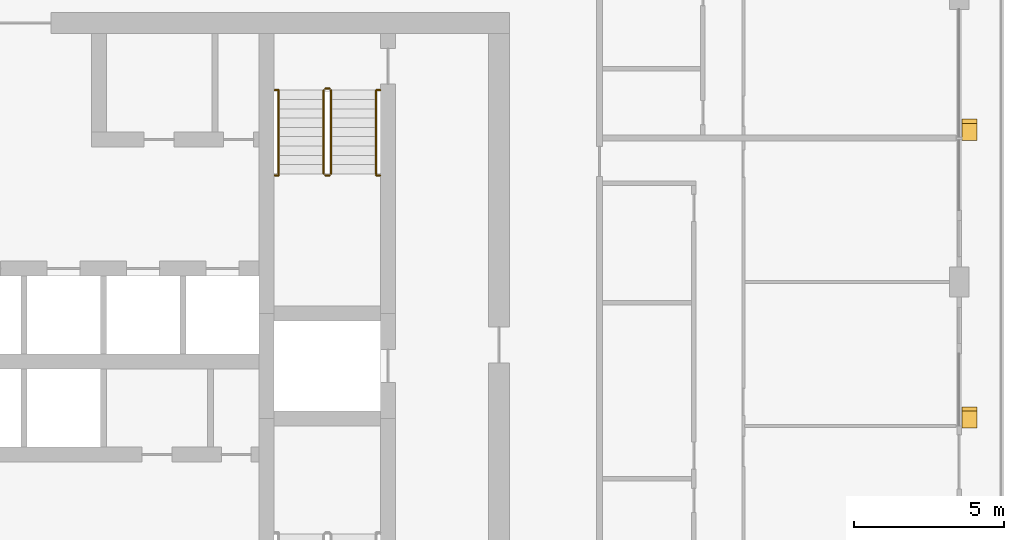
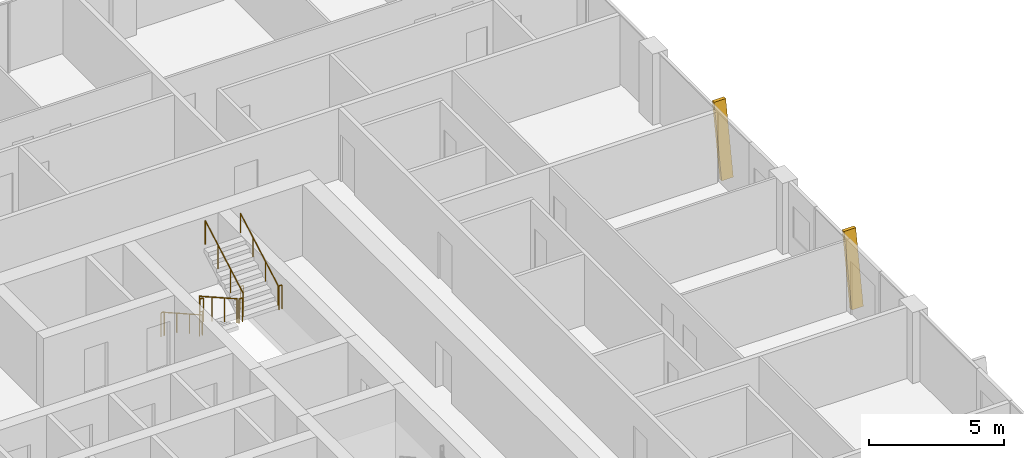
# One storey, part 22 of 23: 10 railings, 2 shading devices.
"""IFC4 building model written with IfcOpenShell, lengths in metres."""

from ifc_helpers import new_model, si_unit, direction, frame, origin, origin_2d, place, context, subcontext, project, spatial, polyline, circle, outline, extrude, material, type_object, element, save


model = new_model("IFC4")

# Units and contexts
model_context = context("Model", 3, precision=1e-05, world=origin(), true_north=direction((0.0, 1.0)))
body_context = subcontext(model_context, "Body", "Model", "MODEL_VIEW")
ifc_project = project(units=[si_unit("LENGTHUNIT", "METRE"), si_unit("AREAUNIT", "SQUARE_METRE"), si_unit("VOLUMEUNIT", "CUBIC_METRE"), si_unit("PLANEANGLEUNIT", "RADIAN"), si_unit("MASSUNIT", "GRAM", prefix="KILO")], contexts=[model_context])

# Site, building, storey
site_placement = place(None, origin())
site = spatial("IfcSite", under=ifc_project, at=site_placement, CompositionType="ELEMENT")
building_placement = place(site_placement, origin())
building = spatial("IfcBuilding", under=site, at=building_placement, Name="Madar Terraces", CompositionType="ELEMENT")
storey_placement = place(building_placement, frame((0.0, 0.0, 226.300048828125)))
storey = spatial("IfcBuildingStorey", under=building, at=storey_placement, Name="L59", CompositionType="ELEMENT", Elevation=226.300048828125)

# Shading devices
ifc_material_1 = material(Name="Aluminium, black anodised", Category="aluminium")
shading_device_type = type_object("IfcShadingDeviceType", Name="Facade fin blade 140 x 500", PredefinedType="USERDEFINED", material=ifc_material_1)
shading_device_1_placement = place(storey_placement, frame((62.75, 23.929931640625, 0.0), z_axis=(0.0, 0.0, 1.0), x_axis=(0.0, 1.0, 0.0)))
element("IfcShadingDevice", 1, at=shading_device_1_placement, inside=storey, type_object=shading_device_type, Name="FIN L59 E2", ObjectType="FIN", PredefinedType="USERDEFINED", context=body_context, shape_type="SweptSolid", body=[
    extrude(outline(polyline([(0.0, 0.0), (0.14013671875, 0.0), (0.704345703125, 3.199951171875), (0.564208984375, 3.199951171875), (0.0, 0.0)])), frame((0.0, 0.25, 0.0), z_axis=(0.0, -1.0, 0.0), x_axis=(1.0, 0.0, 0.0)), (0.0, 0.0, 1.0), 0.5),
])
shading_device_2_placement = place(storey_placement, frame((62.75, 33.530029296875, 0.0), z_axis=(0.0, 0.0, 1.0), x_axis=(0.0, 1.0, 0.0)))
element("IfcShadingDevice", 2, at=shading_device_2_placement, inside=storey, type_object=shading_device_type, Name="FIN L59 E3", ObjectType="FIN", PredefinedType="USERDEFINED", context=body_context, shape_type="SweptSolid", body=[
    extrude(outline(polyline([(0.0, 0.0), (0.139892578125, 0.0), (0.704345703125, 3.199951171875), (0.564208984375, 3.199951171875), (0.0, 0.0)])), frame((0.0, 0.25, 0.0), z_axis=(0.0, -1.0, 0.0), x_axis=(1.0, 0.0, 0.0)), (0.0, 0.0, 1.0), 0.5),
])

# Railings
ifc_material_2 = material(Name="Stainless steel railing", Category="steel")
railing_type_1 = type_object("IfcRailingType", Name="Stair guard 1100", PredefinedType="GUARDRAIL", material=ifc_material_2)
railing_1_placement = place(storey_placement, frame((41.199951171875, 35.199951171875, 0.175048828125)))
element("IfcRailing", 3, at=railing_1_placement, inside=storey, type_object=railing_type_1, Name="L59 ST2 stair guard 1", PredefinedType="GUARDRAIL", context=body_context, shape_type="SweptSolid", body=[
    extrude(circle(Radius=0.02392578125, at=origin_2d()), frame((0.0, 0.0, 1.076171875), z_axis=(0.0, -0.870833779661, 0.491577591232), x_axis=(1.0, 0.0, 0.0)), (0.0, 0.0, 1.0), 3.203857421875),
    extrude(circle(Radius=0.02099609375, at=origin_2d()), origin(), (0.0, 0.0, 1.0), 1.052001953125),
    extrude(circle(Radius=0.02099609375, at=origin_2d()), frame((0.0, -0.929931640625, 0.52490234375)), (0.0, 0.0, 1.0), 1.052001953125),
    extrude(circle(Radius=0.02099609375, at=origin_2d()), frame((0.0, -1.860107421875, 1.050048828125)), (0.0, 0.0, 1.0), 1.052001953125),
    extrude(circle(Radius=0.02099609375, at=origin_2d()), frame((0.0, -2.7900390625, 1.574951171875)), (0.0, 0.0, 1.0), 1.052001953125),
])
railing_2_placement = place(storey_placement, frame((41.25, 32.360107421875, 1.75)))
element("IfcRailing", 4, at=railing_2_placement, inside=storey, type_object=railing_type_1, Name="L59 ST2 stair guard 2", PredefinedType="GUARDRAIL", context=body_context, shape_type="SweptSolid", body=[
    extrude(circle(Radius=0.02392578125, at=origin_2d()), frame((0.0, 0.0, 1.076171875), z_axis=(1.0, 0.0, 0.0), x_axis=(0.0, 1.0, 0.0)), (0.0, 0.0, 1.0), 0.14990234375),
    extrude(circle(Radius=0.02099609375, at=origin_2d()), origin(), (0.0, 0.0, 1.0), 1.052001953125),
    extrude(circle(Radius=0.02099609375, at=origin_2d()), frame((0.14990234375, 0.0, 0.0)), (0.0, 0.0, 1.0), 1.052001953125),
])
railing_3_placement = place(storey_placement, frame((41.449951171875, 32.409912109375, 1.925048828125)))
element("IfcRailing", 5, at=railing_3_placement, inside=storey, type_object=railing_type_1, Name="L59 ST2 stair guard 3", PredefinedType="GUARDRAIL", context=body_context, shape_type="SweptSolid", body=[
    extrude(circle(Radius=0.02392578125, at=origin_2d()), frame((0.0, 0.0, 1.076171875), z_axis=(0.0, 0.870833779661, 0.491577591232), x_axis=(-1.0, 0.0, 0.0)), (0.0, 0.0, 1.0), 3.203857421875),
    extrude(circle(Radius=0.02099609375, at=origin_2d()), origin(), (0.0, 0.0, 1.0), 1.052001953125),
    extrude(circle(Radius=0.02099609375, at=origin_2d()), frame((0.0, 0.929931640625, 0.52490234375)), (0.0, 0.0, 1.0), 1.052001953125),
    extrude(circle(Radius=0.02099609375, at=origin_2d()), frame((0.0, 1.860107421875, 1.050048828125)), (0.0, 0.0, 1.0), 1.052001953125),
    extrude(circle(Radius=0.02099609375, at=origin_2d()), frame((0.0, 2.7900390625, 1.574951171875)), (0.0, 0.0, 1.0), 1.052001953125),
])
railing_4_placement = place(storey_placement, frame((41.25, 35.25, 0.0)))
element("IfcRailing", 6, at=railing_4_placement, inside=storey, type_object=railing_type_1, Name="L59 ST2 stair guard 4", PredefinedType="GUARDRAIL", context=body_context, shape_type="SweptSolid", body=[
    extrude(circle(Radius=0.02392578125, at=origin_2d()), frame((0.0, 0.0, 1.076171875), z_axis=(1.0, 0.0, 0.0), x_axis=(0.0, 1.0, 0.0)), (0.0, 0.0, 1.0), 0.14990234375),
    extrude(circle(Radius=0.02099609375, at=origin_2d()), origin(), (0.0, 0.0, 1.0), 1.052001953125),
    extrude(circle(Radius=0.02099609375, at=origin_2d()), frame((0.14990234375, 0.0, 0.0)), (0.0, 0.0, 1.0), 1.052001953125),
])
railing_5_placement = place(storey_placement, frame((39.570068359375, 32.360107421875, 1.75)))
element("IfcRailing", 7, at=railing_5_placement, inside=storey, type_object=railing_type_1, Name="L59 stair guard seat 1", PredefinedType="GUARDRAIL", context=body_context, shape_type="SweptSolid", body=[
    extrude(circle(Radius=0.02392578125, at=origin_2d()), frame((0.0, 0.0, 1.076171875), z_axis=(1.0, 0.0, 0.0), x_axis=(0.0, 1.0, 0.0)), (0.0, 0.0, 1.0), 0.1298828125),
    extrude(circle(Radius=0.02099609375, at=origin_2d()), origin(), (0.0, 0.0, 1.0), 1.052001953125),
    extrude(circle(Radius=0.02099609375, at=origin_2d()), frame((0.1298828125, 0.0, 0.0)), (0.0, 0.0, 1.0), 1.052001953125),
])
railing_6_placement = place(storey_placement, frame((42.949951171875, 32.360107421875, 1.75)))
element("IfcRailing", 8, at=railing_6_placement, inside=storey, type_object=railing_type_1, Name="L59 stair guard seat 2", PredefinedType="GUARDRAIL", context=body_context, shape_type="SweptSolid", body=[
    extrude(circle(Radius=0.02392578125, at=origin_2d()), frame((0.0, 0.0, 1.076171875), z_axis=(1.0, 0.0, 0.0), x_axis=(0.0, 1.0, 0.0)), (0.0, 0.0, 1.0), 0.130126953125),
    extrude(circle(Radius=0.02099609375, at=origin_2d()), origin(), (0.0, 0.0, 1.0), 1.052001953125),
    extrude(circle(Radius=0.02099609375, at=origin_2d()), frame((0.130126953125, 0.0, 0.0)), (0.0, 0.0, 1.0), 1.052001953125),
])
railing_7_placement = place(storey_placement, frame((39.570068359375, 35.199951171875, 0.0)))
element("IfcRailing", 9, at=railing_7_placement, inside=storey, type_object=railing_type_1, Name="L59 stair guard floor 1", PredefinedType="GUARDRAIL", context=body_context, shape_type="SweptSolid", body=[
    extrude(circle(Radius=0.02392578125, at=origin_2d()), frame((0.0, 0.0, 1.076171875), z_axis=(1.0, 0.0, 0.0), x_axis=(0.0, 1.0, 0.0)), (0.0, 0.0, 1.0), 0.1298828125),
    extrude(circle(Radius=0.02099609375, at=origin_2d()), origin(), (0.0, 0.0, 1.0), 1.052001953125),
    extrude(circle(Radius=0.02099609375, at=origin_2d()), frame((0.1298828125, 0.0, 0.0)), (0.0, 0.0, 1.0), 1.052001953125),
])
railing_8_placement = place(storey_placement, frame((42.949951171875, 35.199951171875, 0.0)))
element("IfcRailing", 10, at=railing_8_placement, inside=storey, type_object=railing_type_1, Name="L59 stair guard floor 2", PredefinedType="GUARDRAIL", context=body_context, shape_type="SweptSolid", body=[
    extrude(circle(Radius=0.02392578125, at=origin_2d()), frame((0.0, 0.0, 1.076171875), z_axis=(1.0, 0.0, 0.0), x_axis=(0.0, 1.0, 0.0)), (0.0, 0.0, 1.0), 0.130126953125),
    extrude(circle(Radius=0.02099609375, at=origin_2d()), origin(), (0.0, 0.0, 1.0), 1.052001953125),
    extrude(circle(Radius=0.02099609375, at=origin_2d()), frame((0.130126953125, 0.0, 0.0)), (0.0, 0.0, 1.0), 1.052001953125),
])
ifc_material_3 = material(Name="Stainless steel railing", Category="steel")
railing_type_2 = type_object("IfcRailingType", Name="Stair handrail 900", PredefinedType="HANDRAIL", material=ifc_material_3)
railing_9_placement = place(storey_placement, frame((39.699951171875, 35.199951171875, 0.175048828125)))
element("IfcRailing", 11, at=railing_9_placement, inside=storey, type_object=railing_type_2, Name="L59 ST2 stair handrail 1", PredefinedType="HANDRAIL", context=body_context, shape_type="SweptSolid", body=[
    extrude(circle(Radius=0.02392578125, at=origin_2d()), frame((0.0, 0.0, 0.8759765625), z_axis=(0.0, -0.870833779661, 0.491577591232), x_axis=(1.0, 0.0, 0.0)), (0.0, 0.0, 1.0), 3.203857421875),
    extrude(circle(Radius=0.02099609375, at=origin_2d()), origin(), (0.0, 0.0, 1.0), 0.851806640625),
    extrude(circle(Radius=0.02099609375, at=origin_2d()), frame((0.0, -0.929931640625, 0.52490234375)), (0.0, 0.0, 1.0), 0.851806640625),
    extrude(circle(Radius=0.02099609375, at=origin_2d()), frame((0.0, -1.860107421875, 1.050048828125)), (0.0, 0.0, 1.0), 0.851806640625),
    extrude(circle(Radius=0.02099609375, at=origin_2d()), frame((0.0, -2.7900390625, 1.574951171875)), (0.0, 0.0, 1.0), 0.851806640625),
])
railing_10_placement = place(storey_placement, frame((42.949951171875, 32.409912109375, 1.925048828125)))
element("IfcRailing", 12, at=railing_10_placement, inside=storey, type_object=railing_type_2, Name="L59 ST2 stair handrail 2", PredefinedType="HANDRAIL", context=body_context, shape_type="SweptSolid", body=[
    extrude(circle(Radius=0.02392578125, at=origin_2d()), frame((0.0, 0.0, 0.8759765625), z_axis=(0.0, 0.870833779661, 0.491577591232), x_axis=(-1.0, 0.0, 0.0)), (0.0, 0.0, 1.0), 3.203857421875),
    extrude(circle(Radius=0.02099609375, at=origin_2d()), origin(), (0.0, 0.0, 1.0), 0.851806640625),
    extrude(circle(Radius=0.02099609375, at=origin_2d()), frame((0.0, 0.929931640625, 0.52490234375)), (0.0, 0.0, 1.0), 0.851806640625),
    extrude(circle(Radius=0.02099609375, at=origin_2d()), frame((0.0, 1.860107421875, 1.050048828125)), (0.0, 0.0, 1.0), 0.851806640625),
    extrude(circle(Radius=0.02099609375, at=origin_2d()), frame((0.0, 2.7900390625, 1.574951171875)), (0.0, 0.0, 1.0), 0.851806640625),
])

save(model, "model.ifc")
